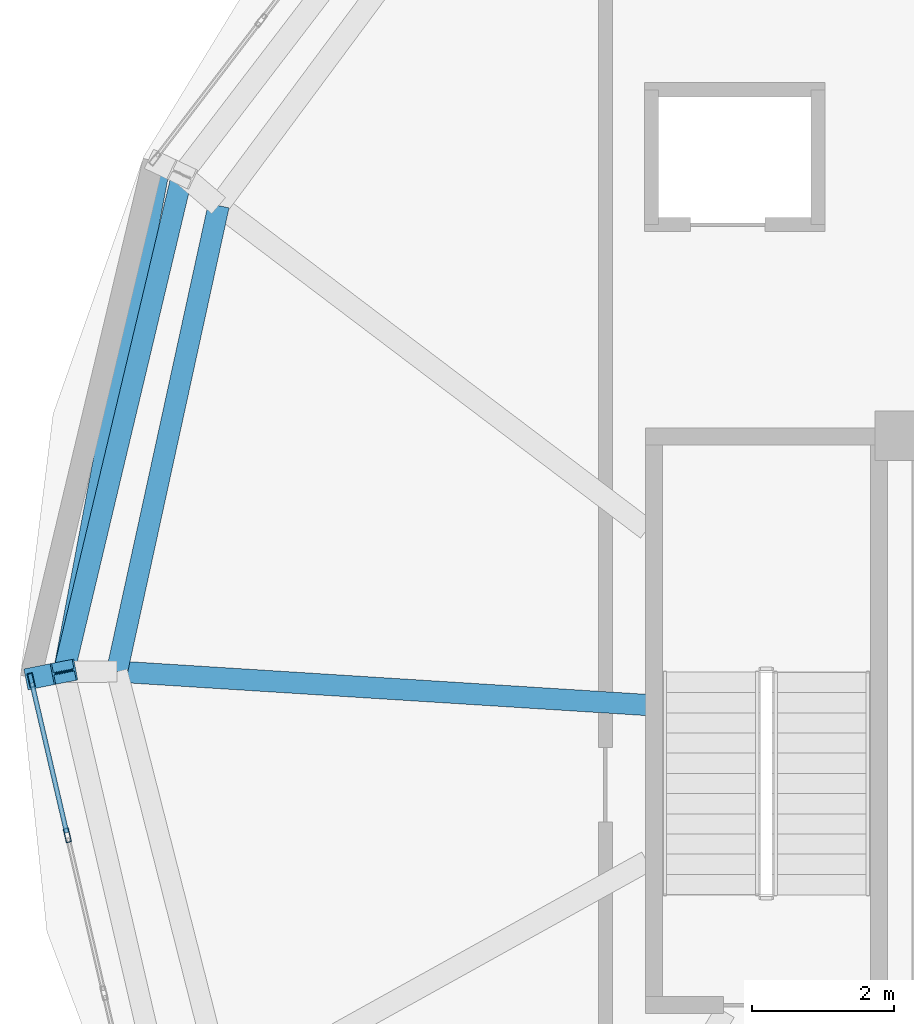
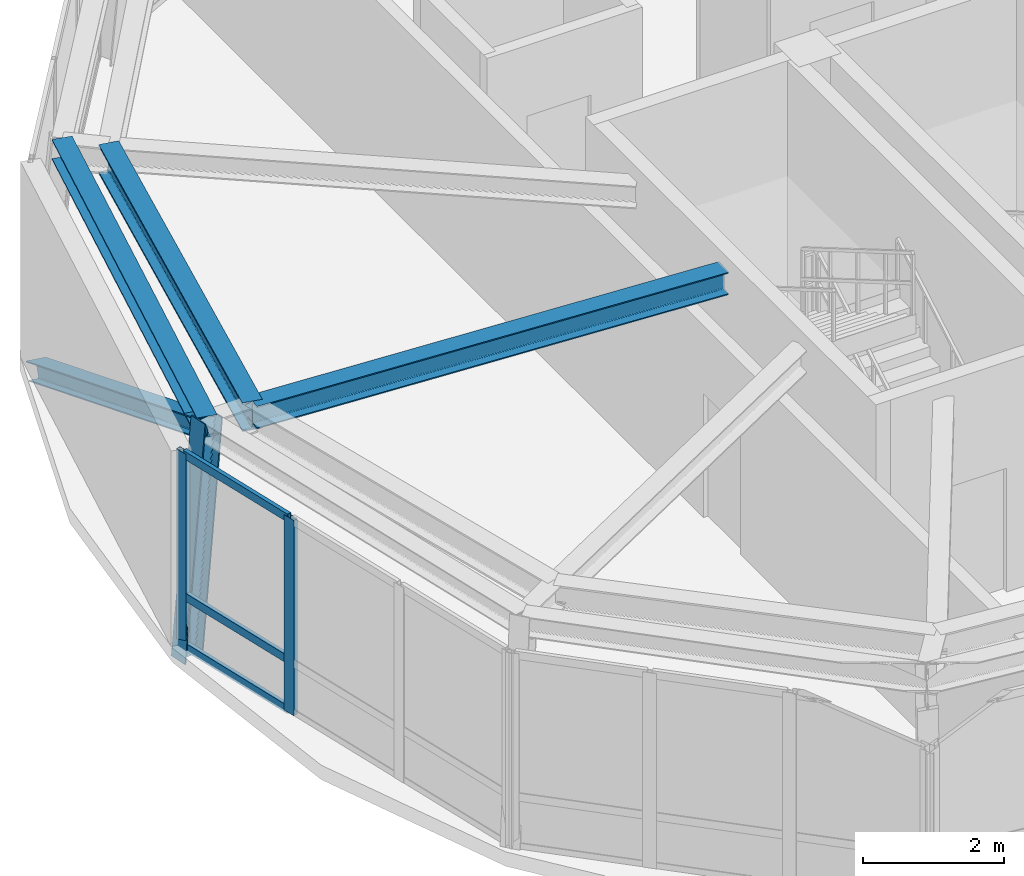
# One storey, part 3 of 9: 7 members, 3 beams, 1 element without a shape of its own.
"""IFC4 building model written with IfcOpenShell, lengths in metres."""

from ifc_helpers import new_model, si_unit, direction, frame, origin, origin_2d, place, context, subcontext, project, spatial, hollow_rectangle, i_section, extrude, material, layer, layer_set, material_profile, profile_set, type_object, element, aggregate, save


model = new_model("IFC4")

# Units and contexts
model_context = context("Model", 3, precision=1e-05, world=origin(), true_north=direction((0.0, 1.0)))
body_context = subcontext(model_context, "Body", "Model", "MODEL_VIEW")
ifc_project = project(units=[si_unit("LENGTHUNIT", "METRE"), si_unit("AREAUNIT", "SQUARE_METRE"), si_unit("VOLUMEUNIT", "CUBIC_METRE"), si_unit("PLANEANGLEUNIT", "RADIAN"), si_unit("MASSUNIT", "GRAM", prefix="KILO"), si_unit("THERMODYNAMICTEMPERATUREUNIT", "KELVIN"), si_unit("POWERUNIT", "WATT")], contexts=[model_context])

# Site, building, storey
site_placement = place(None, origin())
site = spatial("IfcSite", under=ifc_project, at=site_placement, CompositionType="ELEMENT")
building_placement = place(site_placement, origin())
building = spatial("IfcBuilding", under=site, at=building_placement, Name="Ocrelia Relay Tower", CompositionType="ELEMENT")
storey_placement = place(building_placement, frame((0.0, 0.0, 296.0)))
storey = spatial("IfcBuildingStorey", under=building, at=storey_placement, Name="L74", CompositionType="ELEMENT", Elevation=296.0)

# Beams
ifc_material_1 = material(Name="Steel S355", Category="steel")
ifc_material_profile_1 = material_profile(ifc_material_1, i_section(OverallWidth=0.300048828125, OverallDepth=0.35009765625, WebThickness=0.010009765625, FlangeThickness=0.017578125, FilletRadius=0.027099609375, at=origin_2d()), Name="HEA 360")
ifc_profile_set_1 = profile_set([ifc_material_profile_1], Name="Steel S355")
beam_type_1 = type_object("IfcBeamType", Name="BM-HEA360", PredefinedType="SPANDREL", material=ifc_profile_set_1)
beam_1_placement = place(storey_placement, frame((23.882568359375, 30.80419921875, 3.574951171875), z_axis=(-0.231473992894, -0.97284109217, 0.0), x_axis=(0.97284109217, -0.231473992894, 0.0)))
element("IfcBeam", 1, at=beam_1_placement, inside=storey, type_object=beam_type_1, Name="L74 Crown Faceted Ring Beam R04", PredefinedType="SPANDREL", context=body_context, shape_type="SweptSolid", body=[
    extrude(i_section(OverallWidth=0.300048828125, OverallDepth=0.35009765625, WebThickness=0.010009765625, FlangeThickness=0.017578125, FilletRadius=0.027099609375, at=origin_2d()), origin(), (0.0, 0.0, 1.0), 7.2080078125),
])
ifc_material_profile_2 = material_profile(ifc_material_1, i_section(OverallWidth=0.300048828125, OverallDepth=0.389892578125, WebThickness=0.010986328125, FlangeThickness=0.01904296875, FilletRadius=0.027099609375, at=origin_2d()), Name="HEA 400")
ifc_profile_set_2 = profile_set([ifc_material_profile_2], Name="Steel S355")
beam_type_2 = type_object("IfcBeamType", Name="BM-HEA400", PredefinedType="SPANDREL", material=ifc_profile_set_2)
beam_2_placement = place(storey_placement, frame((22.96142578125, 23.796142578125, 3.554931640625), z_axis=(0.998016384764, -0.062954711844, 0.0), x_axis=(0.062954711844, 0.998016384764, 0.0)))
element("IfcBeam", 2, at=beam_2_placement, inside=storey, type_object=beam_type_2, Name="L74 Crown Radial Floor Beam 05", PredefinedType="SPANDREL", context=body_context, shape_type="SweptSolid", body=[
    extrude(i_section(OverallWidth=0.300048828125, OverallDepth=0.389892578125, WebThickness=0.010986328125, FlangeThickness=0.01904296875, FilletRadius=0.027099609375, at=origin_2d()), origin(), (0.0, 0.0, 1.0), 7.488525390625),
])
ifc_material_profile_3 = material_profile(ifc_material_1, i_section(OverallWidth=0.300048828125, OverallDepth=0.5, WebThickness=0.014404296875, FlangeThickness=0.028076171875, FilletRadius=0.027099609375, at=origin_2d()), Name="HEB 500")
ifc_profile_set_3 = profile_set([ifc_material_profile_3], Name="Steel S355")
beam_type_3 = type_object("IfcBeamType", Name="BM-HEB500", PredefinedType="BEAM", material=ifc_profile_set_3)
beam_3_placement = place(storey_placement, frame((24.39599609375, 30.36669921875, 3.5), z_axis=(-0.213308201333, -0.976984959579, 0.0), x_axis=(0.976984959579, -0.213308201333, 0.0)))
element("IfcBeam", 3, at=beam_3_placement, inside=storey, type_object=beam_type_3, Name="L74 Crown Step Perimeter Ring Beam SR04", PredefinedType="BEAM", context=body_context, shape_type="SweptSolid", body=[
    extrude(i_section(OverallWidth=0.300048828125, OverallDepth=0.5, WebThickness=0.014404296875, FlangeThickness=0.028076171875, FilletRadius=0.027099609375, at=origin_2d()), origin(), (0.0, 0.0, 1.0), 6.725341796875),
])

# Curtain wall, members
ifc_material_2 = material(Name="Aluminium and solar-control low-E glass", Category="aluminium")
ifc_layer = layer(ifc_material_2, 0.179931640625, Name="Aluminium and solar-control low-E glass")
ifc_layer_set = layer_set([ifc_layer], Name="Aluminium and solar-control low-E glass")
curtain_wall_type = type_object("IfcCurtainWallType", Name="CW-SYS-CROWN-PT", PredefinedType="NOTDEFINED", material=ifc_layer_set)
curtain_wall_placement = place(storey_placement, origin())
curtain_wall = element("IfcCurtainWall", 4, at=curtain_wall_placement, inside=storey, type_object=curtain_wall_type, Name="L74 Faceted Glass-Point Crown Curtain Wall 05", PredefinedType="NOTDEFINED")
ifc_material_3 = material(Name="Anodised bronze aluminium", Category="aluminium")
ifc_material_profile_4 = material_profile(ifc_material_3, hollow_rectangle(XDim=0.074951171875, YDim=0.199951171875, WallThickness=0.006103515625, at=origin_2d()), Name="CW-MUL-200x75")
ifc_profile_set_4 = profile_set([ifc_material_profile_4], Name="Anodised bronze aluminium")
member_type_1 = type_object("IfcMemberType", Name="CW-SYS-CROWN-PT-MUL", PredefinedType="MULLION", material=ifc_profile_set_4)
member_1_placement = place(storey_placement, frame((21.752685546875, 23.674072265625, 0.0), z_axis=(0.0, 0.0, 1.0), x_axis=(0.974003533407, 0.226532816409, 0.0)))
member_1 = element("IfcMember", 5, at=member_1_placement, type_object=member_type_1, Name="CW-CR mullion 1", PredefinedType="MULLION", context=body_context, shape_type="SweptSolid", body=[
    extrude(hollow_rectangle(XDim=0.074951171875, YDim=0.199951171875, WallThickness=0.006103515625, at=origin_2d()), origin(), (0.0, 0.0, 1.0), 3.389892578125),
])
member_2_placement = place(storey_placement, frame((22.261474609375, 21.486328125, 0.0), z_axis=(0.0, 0.0, 1.0), x_axis=(0.974003533407, 0.226532816409, 0.0)))
member_2 = element("IfcMember", 6, at=member_2_placement, type_object=member_type_1, Name="CW-CR mullion 2", PredefinedType="MULLION", context=body_context, shape_type="SweptSolid", body=[
    extrude(hollow_rectangle(XDim=0.074951171875, YDim=0.199951171875, WallThickness=0.006103515625, at=origin_2d()), origin(), (0.0, 0.0, 1.0), 3.389892578125),
])
ifc_material_profile_5 = material_profile(ifc_material_3, hollow_rectangle(XDim=0.06494140625, YDim=0.139892578125, WallThickness=0.0048828125, at=origin_2d()), Name="CW-TRN-140x65")
ifc_profile_set_5 = profile_set([ifc_material_profile_5], Name="Anodised bronze aluminium")
member_type_2 = type_object("IfcMemberType", Name="CW-SYS-CROWN-PT-TRN", PredefinedType="USERDEFINED", material=ifc_profile_set_5)
member_3_placement = place(storey_placement, frame((21.760986328125, 23.6376953125, 0.032470703125), z_axis=(0.226575514599, -0.973993601716, 0.0), x_axis=(0.973993601716, 0.226575514599, 0.0)))
member_3 = element("IfcMember", 7, at=member_3_placement, type_object=member_type_2, Name="CW-CR transom 1.1", ObjectType="TRANSOM", PredefinedType="USERDEFINED", context=body_context, shape_type="SweptSolid", body=[
    extrude(hollow_rectangle(XDim=0.06494140625, YDim=0.139892578125, WallThickness=0.0048828125, at=origin_2d()), origin(), (0.0, 0.0, 1.0), 2.171142578125),
])
member_4_placement = place(storey_placement, frame((21.760986328125, 23.6376953125, 0.89990234375), z_axis=(0.226575514599, -0.973993601716, 0.0), x_axis=(0.973993601716, 0.226575514599, 0.0)))
member_4 = element("IfcMember", 8, at=member_4_placement, type_object=member_type_2, Name="CW-CR transom 1.2", ObjectType="TRANSOM", PredefinedType="USERDEFINED", context=body_context, shape_type="SweptSolid", body=[
    extrude(hollow_rectangle(XDim=0.06494140625, YDim=0.139892578125, WallThickness=0.0048828125, at=origin_2d()), origin(), (0.0, 0.0, 1.0), 2.171142578125),
])
member_5_placement = place(storey_placement, frame((21.760986328125, 23.6376953125, 3.357421875), z_axis=(0.226575514599, -0.973993601716, 0.0), x_axis=(0.973993601716, 0.226575514599, 0.0)))
member_5 = element("IfcMember", 9, at=member_5_placement, type_object=member_type_2, Name="CW-CR transom 1.3", ObjectType="TRANSOM", PredefinedType="USERDEFINED", context=body_context, shape_type="SweptSolid", body=[
    extrude(hollow_rectangle(XDim=0.06494140625, YDim=0.139892578125, WallThickness=0.0048828125, at=origin_2d()), origin(), (0.0, 0.0, 1.0), 2.171142578125),
])
aggregate(curtain_wall, [member_1, member_2, member_3, member_4, member_5])

# Members
ifc_material_profile_6 = material_profile(ifc_material_1, i_section(OverallWidth=0.300048828125, OverallDepth=0.300048828125, WebThickness=0.010986328125, FlangeThickness=0.01904296875, FilletRadius=0.027099609375, at=origin_2d()), Name="HEB 300")
ifc_profile_set_6 = profile_set([ifc_material_profile_6], Name="Steel S355")
member_type_3 = type_object("IfcMemberType", Name="MB-CROWN-DIAG", PredefinedType="BRACE", material=ifc_profile_set_6)
member_6_placement = place(storey_placement, frame((23.56640625, 30.9541015625, -0.25), z_axis=(-0.164286357092, -0.870103732019, 0.464682136949), x_axis=(0.982637810407, -0.185534184342, 0.0)))
element("IfcMember", 10, at=member_6_placement, inside=storey, type_object=member_type_3, Name="L74 Crown Bracing Diagonal CD04", PredefinedType="BRACE", context=body_context, shape_type="SweptSolid", body=[
    extrude(i_section(OverallWidth=0.300048828125, OverallDepth=0.300048828125, WebThickness=0.010986328125, FlangeThickness=0.01904296875, FilletRadius=0.027099609375, at=origin_2d()), origin(), (0.0, 0.0, 1.0), 8.2314453125),
])
ifc_material_profile_7 = material_profile(ifc_material_1, i_section(OverallWidth=0.300048828125, OverallDepth=0.340087890625, WebThickness=0.011962890625, FlangeThickness=0.021484375, FilletRadius=0.027099609375, at=origin_2d()), Name="HEB 340")
ifc_profile_set_7 = profile_set([ifc_material_profile_7], Name="Steel S355")
member_type_4 = type_object("IfcMemberType", Name="MB-CROWN-RIB", PredefinedType="STRUT", material=ifc_profile_set_7)
member_7_placement = place(storey_placement, frame((21.84375, 23.71875, -0.25), z_axis=(0.092180658399, 0.018229530336, 0.995575416752), x_axis=(-0.194001559774, 0.981001220593, 0.0)))
element("IfcMember", 11, at=member_7_placement, inside=storey, type_object=member_type_4, Name="L74 Crown Faceted Structural Strut Rib CR05", PredefinedType="STRUT", context=body_context, shape_type="SweptSolid", body=[
    extrude(i_section(OverallWidth=0.300048828125, OverallDepth=0.340087890625, WebThickness=0.011962890625, FlangeThickness=0.021484375, FilletRadius=0.027099609375, at=origin_2d()), origin(), (0.0, 0.0, 1.0), 4.017822265625),
])

save(model, "model.ifc")
